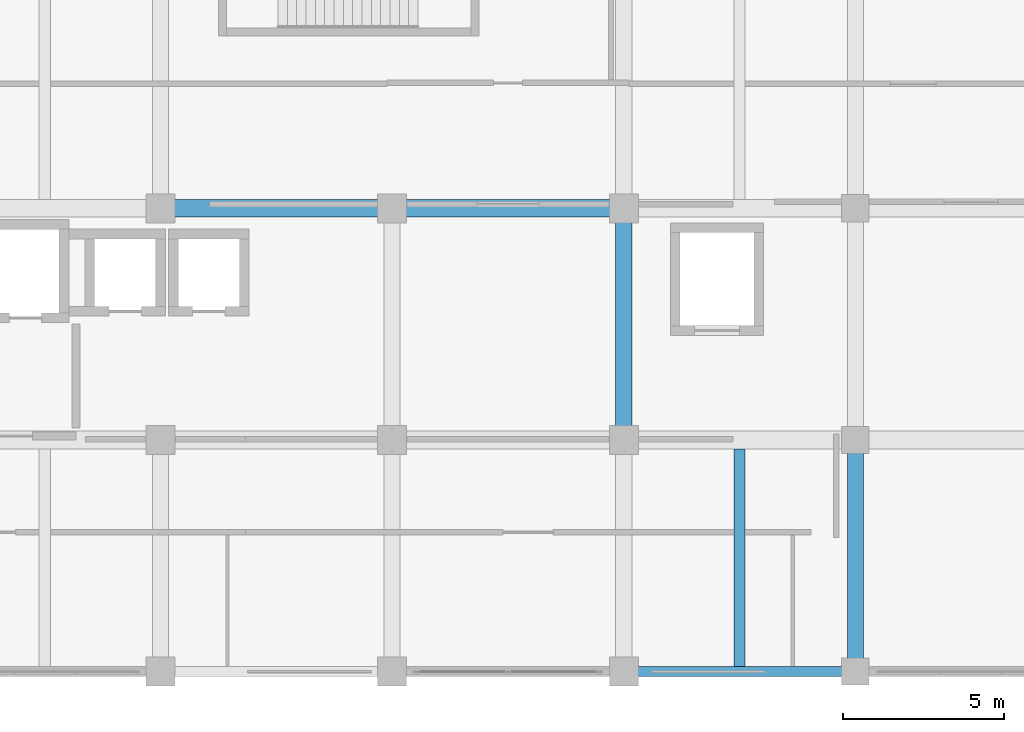
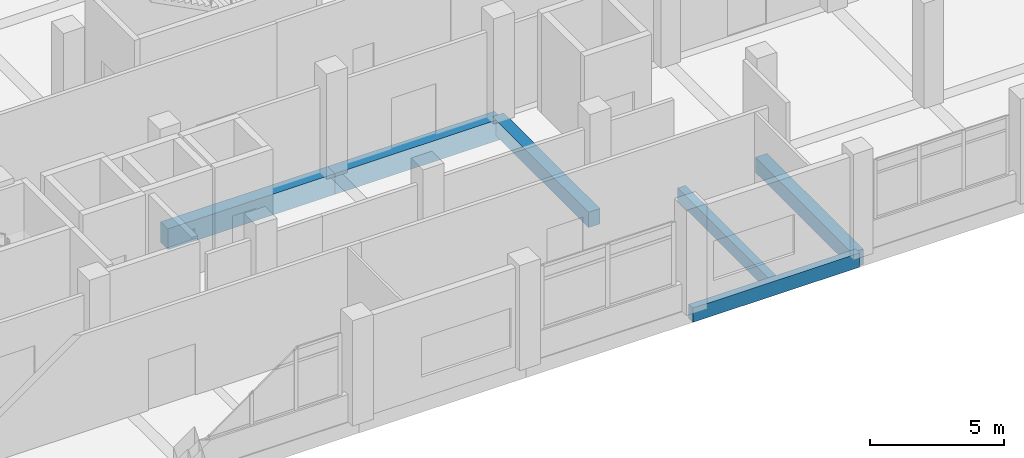
# One storey, part 42 of 181: 6 beams.
"""IFC4 building model written with IfcOpenShell, lengths in metres."""

from ifc_helpers import new_model, si_unit, direction, frame, origin, origin_2d, place, context, subcontext, project, spatial, rectangle, extrude, material, material_profile, profile_set, type_object, element, save


model = new_model("IFC4")

# Units and contexts
model_context = context("Model", 3, precision=1e-05, world=origin(), true_north=direction((0.0, 1.0)))
body_context = subcontext(model_context, "Body", "Model", "MODEL_VIEW")
ifc_project = project(units=[si_unit("LENGTHUNIT", "METRE"), si_unit("AREAUNIT", "SQUARE_METRE"), si_unit("VOLUMEUNIT", "CUBIC_METRE"), si_unit("PLANEANGLEUNIT", "RADIAN"), si_unit("MASSUNIT", "GRAM", prefix="KILO")], contexts=[model_context])

# Site, building, storey
site_placement = place(None, origin())
site = spatial("IfcSite", under=ifc_project, at=site_placement, CompositionType="ELEMENT")
building_placement = place(site_placement, origin())
building = spatial("IfcBuilding", under=site, at=building_placement, Name="Seraya Terrace Polytechnic", CompositionType="ELEMENT")
storey_placement = place(building_placement, frame((0.0, 0.0, 4.800048828125)))
storey = spatial("IfcBuildingStorey", under=building, at=storey_placement, Name="L01", CompositionType="ELEMENT", Elevation=4.800048828125)

# Beams
ifc_material = material(Name="Concrete C40/50", Category="concrete")
ifc_material_profile_1 = material_profile(ifc_material, rectangle(XDim=0.550048828125, YDim=0.949951171875, at=origin_2d()), Name="RC 550x950")
ifc_profile_set_1 = profile_set([ifc_material_profile_1], Name="Concrete C40/50")
beam_type_1 = type_object("IfcBeamType", Name="BM-03", PredefinedType="BEAM", material=ifc_profile_set_1)
for number, where, z_axis, x_axis, name in (
    (1, (93.60009765625, 14.39990234375, -0.47509765625), (1.0, 0.0, 0.0), (0.0, 1.0, 0.0), "Beam BM-03 L01 X (93.6..100.8, 14.4)"),
    (2, (100.800048828125, 14.39990234375, -0.47509765625), (1.0, 0.0, 0.0), (0.0, 1.0, 0.0), "Beam BM-03 L01 X (100.8..108.0, 14.4)"),
):
    element("IfcBeam", number, at=place(storey_placement, frame(where, z_axis=z_axis, x_axis=x_axis)), inside=storey, type_object=beam_type_1, Name=name, PredefinedType="BEAM", context=body_context, shape_type="SweptSolid", body=[
        extrude(rectangle(XDim=0.550048828125, YDim=0.949951171875, at=origin_2d()), origin(), (0.0, 0.0, 1.0), 7.199951171875),
    ])
ifc_material_profile_2 = material_profile(ifc_material, rectangle(XDim=0.5, YDim=0.699951171875, at=origin_2d()), Name="RC 500x700")
ifc_profile_set_2 = profile_set([ifc_material_profile_2], Name="Concrete C40/50")
beam_type_2 = type_object("IfcBeamType", Name="BM-07", PredefinedType="BEAM", material=ifc_profile_set_2)
for number, where, z_axis, x_axis, name in (
    (3, (108.0, 7.199951171875, -0.35009765625), (0.0, 1.0, 0.0), (-1.0, 0.0, 0.0), "Beam BM-07 L01 Y (108.0, 7.2..14.4)"),
    (4, (115.199951171875, 0.0, -0.35009765625), (0.0, 1.0, 0.0), (-1.0, 0.0, 0.0), "Beam BM-07 L01 Y (115.2, 0.0..7.2)"),
):
    element("IfcBeam", number, at=place(storey_placement, frame(where, z_axis=z_axis, x_axis=x_axis)), inside=storey, type_object=beam_type_2, Name=name, PredefinedType="BEAM", context=body_context, shape_type="SweptSolid", body=[
        extrude(rectangle(XDim=0.5, YDim=0.699951171875, at=origin_2d()), origin(), (0.0, 0.0, 1.0), 7.199951171875),
    ])
ifc_material_profile_3 = material_profile(ifc_material, rectangle(XDim=0.35009765625, YDim=0.60009765625, at=origin_2d()), Name="RC 350x600")
ifc_profile_set_3 = profile_set([ifc_material_profile_3], Name="Concrete C40/50")
beam_type_3 = type_object("IfcBeamType", Name="JS-02", PredefinedType="JOIST", material=ifc_profile_set_3)
beam_1_placement = place(storey_placement, frame((111.60009765625, 0.14990234375, -0.300048828125), z_axis=(0.0, 1.0, 0.0), x_axis=(-1.0, 0.0, 0.0)))
element("IfcBeam", 5, at=beam_1_placement, inside=storey, type_object=beam_type_3, Name="Secondary joist JS-02 L01", PredefinedType="JOIST", context=body_context, shape_type="SweptSolid", body=[
    extrude(rectangle(XDim=0.35009765625, YDim=0.60009765625, at=origin_2d()), origin(), (0.0, 0.0, 1.0), 6.775146484375),
])
ifc_material_profile_4 = material_profile(ifc_material, rectangle(XDim=0.300048828125, YDim=0.64990234375, at=origin_2d()), Name="RC 300x650")
ifc_profile_set_4 = profile_set([ifc_material_profile_4], Name="Concrete C40/50")
beam_type_4 = type_object("IfcBeamType", Name="SP-01", PredefinedType="SPANDREL", material=ifc_profile_set_4)
beam_2_placement = place(storey_placement, frame((108.0, 0.0, -0.324951171875), z_axis=(1.0, 0.0, 0.0), x_axis=(0.0, 1.0, 0.0)))
element("IfcBeam", 6, at=beam_2_placement, inside=storey, type_object=beam_type_4, Name="Beam SP-01 L01 X (108.0..115.2, 0.0)", PredefinedType="SPANDREL", context=body_context, shape_type="SweptSolid", body=[
    extrude(rectangle(XDim=0.300048828125, YDim=0.64990234375, at=origin_2d()), origin(), (0.0, 0.0, 1.0), 7.199951171875),
])

save(model, "model.ifc")
